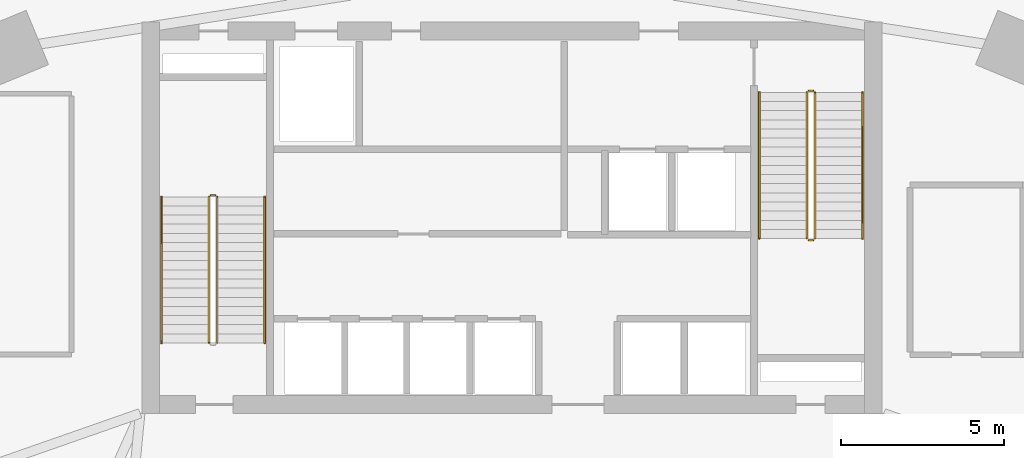
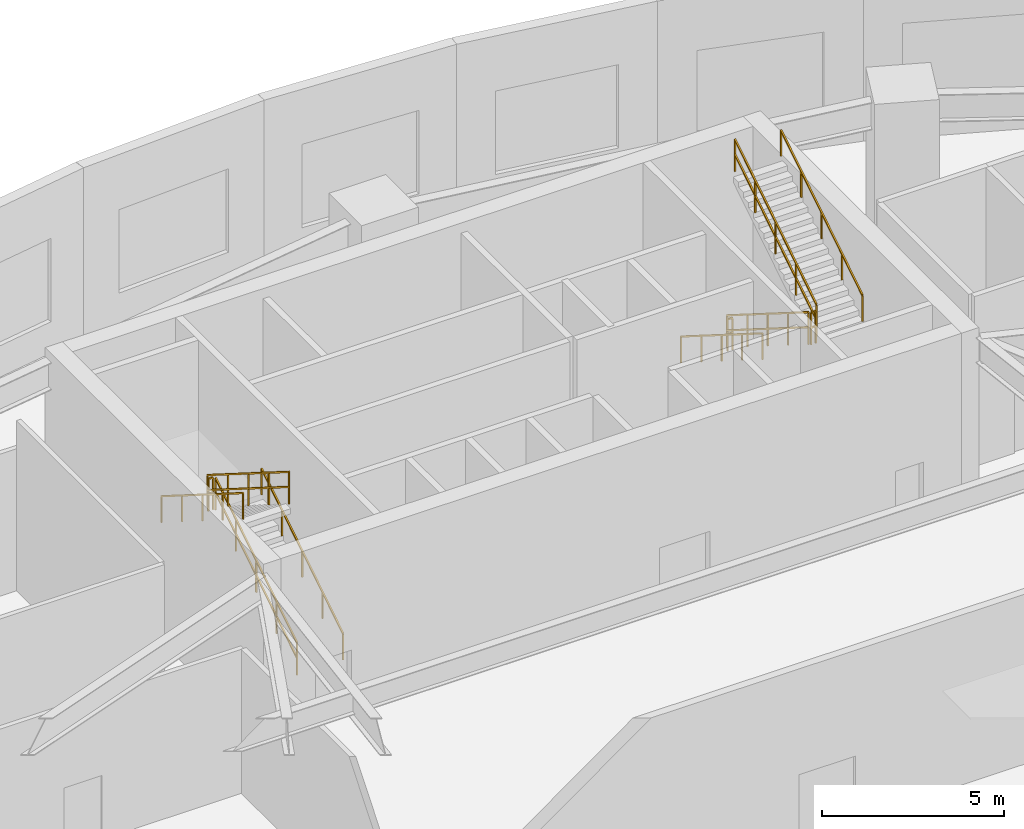
# One storey, part 9 of 10: 11 railings.
"""IFC4 building model written with IfcOpenShell, lengths in metres."""

import ifcopenshell
import ifcopenshell.guid

model = None  # the IFC model being written
_history = None  # IfcOwnerHistory: only IFC2X3 demands one
_inside = {}  # id of a spatial element -> (the spatial element, [elements in it])
_under = {}  # id of a project, library or spatial element -> (it, [spatial elements below it])
_declared = {}  # id of a project -> (the project, [libraries it declares])
_typed = {}  # id of a type object -> (the type object, [elements of that type])
_made_of = {}  # id of a material, layer set ... -> (it, [elements and type objects made of it])


def new_model(schema):
    """Start an empty IFC model of exactly this schema.

    Asked for "IFC4X3", IfcOpenShell would pick the latest addendum, in which some entities
    have other attributes; the version numbers below select the first issue.
    IFC2X3 requires an IfcOwnerHistory on every rooted entity: one is made here for all.
    """
    global model, _history
    if schema == "IFC4X3":
        model = ifcopenshell.file(schema_version=(4, 3, 0, 0))
    else:
        model = ifcopenshell.file(schema=schema)
    _inside.clear()
    _under.clear()
    _declared.clear()
    _typed.clear()
    _made_of.clear()
    _history = None
    if model.schema == "IFC2X3":
        org = make("IfcOrganization", Name="unknown")
        user = make(
            "IfcPersonAndOrganization",
            ThePerson=make("IfcPerson", FamilyName="unknown"),
            TheOrganization=org,
        )
        app = make(
            "IfcApplication",
            ApplicationDeveloper=org,
            Version="unknown",
            ApplicationFullName="unknown",
            ApplicationIdentifier="unknown",
        )
        _history = make(
            "IfcOwnerHistory",
            OwningUser=user,
            OwningApplication=app,
            ChangeAction="ADDED",
            CreationDate=0,
        )
    return model


def make(cls, **values):
    """One entity of the class cls with the attributes given. An attribute that is None is left unset."""
    return model.create_entity(
        cls, **{name: value for name, value in values.items() if value is not None}
    )


def rooted(cls, **values):
    """An entity with a GlobalId (a new one), such as an element, a storey or a relation."""
    return make(cls, GlobalId=ifcopenshell.guid.new(), OwnerHistory=_history, **values)


def si_unit(unit_type, name, prefix=None):
    """IfcSIUnit, for example si_unit("LENGTHUNIT", "METRE", prefix="MILLI")."""
    return make("IfcSIUnit", UnitType=unit_type, Prefix=prefix, Name=name)


def assignment(units):
    """IfcUnitAssignment: the units of a project."""
    return None if units is None else make("IfcUnitAssignment", Units=units)


def point(xyz):
    """IfcCartesianPoint."""
    return None if xyz is None else make("IfcCartesianPoint", Coordinates=xyz)


def direction(xyz):
    """IfcDirection."""
    return None if xyz is None else make("IfcDirection", DirectionRatios=xyz)


def frame(location, z_axis=None, x_axis=None):
    """IfcAxis2Placement3D, a coordinate frame: its origin and axes. An axis left out is left unset."""
    return make(
        "IfcAxis2Placement3D",
        Location=point(location),
        Axis=direction(z_axis),
        RefDirection=direction(x_axis),
    )


def frame_2d(location, x_axis=None):
    """IfcAxis2Placement2D, a coordinate frame in the plane: its origin and x axis."""
    return make(
        "IfcAxis2Placement2D", Location=point(location), RefDirection=direction(x_axis)
    )


def origin():
    """The frame at (0, 0, 0) with its axes left unset."""
    return frame((0.0, 0.0, 0.0))


def origin_2d():
    """The frame at (0, 0) in the plane with its x axis left unset."""
    return frame_2d((0.0, 0.0))


def place(relative_to, where):
    """IfcLocalPlacement: puts the frame where relative to a parent placement (None: the world)."""
    return make(
        "IfcLocalPlacement", PlacementRelTo=relative_to, RelativePlacement=where
    )


def context(
    kind, dimensions, precision=None, world=None, true_north=None, identifier=None
):
    """IfcGeometricRepresentationContext, for example the 3D "Model" context."""
    return make(
        "IfcGeometricRepresentationContext",
        ContextIdentifier=identifier,
        ContextType=kind,
        CoordinateSpaceDimension=dimensions,
        Precision=precision,
        WorldCoordinateSystem=world,
        TrueNorth=true_north,
    )


def subcontext(parent, identifier, kind, view, scale=None):
    """IfcGeometricRepresentationSubContext, for example "Body" below "Model"."""
    return make(
        "IfcGeometricRepresentationSubContext",
        ContextIdentifier=identifier,
        ContextType=kind,
        ParentContext=parent,
        TargetScale=scale,
        TargetView=view,
    )


def project(units=None, contexts=None):
    """IfcProject with its units and contexts."""
    return rooted(
        "IfcProject",
        Name="project",
        RepresentationContexts=contexts,
        UnitsInContext=assignment(units),
    )


def spatial(cls, under=None, at=None, **own):
    """A site, building, storey or space (cls), placed at a placement, below another one or the project."""
    s = rooted(cls, ObjectPlacement=at, **own)
    if under is not None:
        _under.setdefault(under.id(), (under, []))[1].append(s)
    return s


def profile(cls, at=None, kind="AREA", **sizes):
    """A parametric profile (cls). Its sizes go by their IFC names, for example OverallWidth=200.0."""
    return make(cls, ProfileType=kind, Position=at, **sizes)


def rectangle(**sizes):
    """IfcRectangleProfileDef."""
    return profile("IfcRectangleProfileDef", **sizes)


def extrude(swept, where, along, depth):
    """IfcExtrudedAreaSolid: the profile swept, set in the frame where, extruded along a direction by depth."""
    return make(
        "IfcExtrudedAreaSolid",
        SweptArea=swept,
        Position=where,
        ExtrudedDirection=direction(along),
        Depth=depth,
    )


def shape(context_of_items, identifier, shape_type, items):
    """IfcShapeRepresentation: the items that make up one representation, for example the "Body"."""
    return make(
        "IfcShapeRepresentation",
        ContextOfItems=context_of_items,
        RepresentationIdentifier=identifier,
        RepresentationType=shape_type,
        Items=items,
    )


def material(Name=None, Category=None):
    """IfcMaterial."""
    return make("IfcMaterial", Name=Name, Category=Category)


def made_of(thing, what):
    """Note that an element or type object is made of a material, layer set ...; save() writes the relation."""
    if what is not None:
        _made_of.setdefault(what.id(), (what, []))[1].append(thing)
    return thing


def type_object(cls, material=None, **own):
    """A type object (cls), such as IfcWallType, which elements share."""
    return made_of(rooted(cls, **own), material)


def element(
    cls,
    number,
    at=None,
    inside=None,
    cuts=None,
    type_object=None,
    material=None,
    context=None,
    identifier="Body",
    shape_type=None,
    held_by="IfcProductDefinitionShape",
    body=None,
    shapes=None,
    **own,
):
    """One element of the class cls, such as IfcWall. Its Tag is "e" and its number.

    at: its placement. inside: the storey or other place that contains it. cuts: it is an
    opening in that element (IfcRelVoidsElement). A single representation is given by context,
    identifier, shape_type and body (its items); several are given by shapes. held_by: the class
    of the entity that holds the representations. save() writes the other relations.
    """
    e = rooted(cls, Tag="e%d" % number, ObjectPlacement=at, **own)
    if body is not None:
        shapes = [shape(context, identifier, shape_type, body)]
    if shapes is not None:
        e.Representation = make(held_by, Representations=shapes)
    if inside is not None:
        _inside.setdefault(inside.id(), (inside, []))[1].append(e)
    if cuts is not None:
        rooted(
            "IfcRelVoidsElement", RelatingBuildingElement=cuts, RelatedOpeningElement=e
        )
    if type_object is not None:
        _typed.setdefault(type_object.id(), (type_object, []))[1].append(e)
    return made_of(e, material)


def aggregate(whole, parts):
    """IfcRelAggregates: a whole, such as a stair, and the parts it consists of."""
    return rooted("IfcRelAggregates", RelatingObject=whole, RelatedObjects=parts)


def save(model, path):
    """Write the relations noted so far, then the file.

    IfcRelAggregates (storeys below a building ...), IfcRelContainedInSpatialStructure (elements
    in a storey), IfcRelDefinesByType, IfcRelAssociatesMaterial and IfcRelDeclares: one each for
    every whole, place, type object, material and project.
    """
    for whole, parts in _under.values():
        aggregate(whole, parts)
    for where, things in _inside.values():
        rooted(
            "IfcRelContainedInSpatialStructure",
            RelatedElements=things,
            RelatingStructure=where,
        )
    for kind, things in _typed.values():
        rooted("IfcRelDefinesByType", RelatedObjects=things, RelatingType=kind)
    for what, things in _made_of.values():
        rooted("IfcRelAssociatesMaterial", RelatedObjects=things, RelatingMaterial=what)
    for by, libraries in _declared.values():
        rooted("IfcRelDeclares", RelatingContext=by, RelatedDefinitions=libraries)
    model.write(path)


model = new_model("IFC4")

# Units and contexts
model_context = context("Model", 3, precision=1e-05, world=origin(), true_north=direction((0.0, 1.0)))
body_context = subcontext(model_context, "Body", "Model", "MODEL_VIEW")
ifc_project = project(units=[si_unit("LENGTHUNIT", "METRE"), si_unit("AREAUNIT", "SQUARE_METRE"), si_unit("VOLUMEUNIT", "CUBIC_METRE"), si_unit("PLANEANGLEUNIT", "RADIAN"), si_unit("MASSUNIT", "GRAM", prefix="KILO")], contexts=[model_context])

# Site, building, storey
site_placement = place(None, origin())
site = spatial("IfcSite", under=ifc_project, at=site_placement, CompositionType="ELEMENT")
building_placement = place(site_placement, origin())
building = spatial("IfcBuilding", under=site, at=building_placement, Name="Breltana Convention Tower", CompositionType="ELEMENT")
storey_placement = place(building_placement, frame((0.0, 0.0, 12.0)))
storey = spatial("IfcBuildingStorey", under=building, at=storey_placement, Name="L02", CompositionType="ELEMENT", Elevation=12.0)

# Railings
ifc_material_1 = material(Name="Steel S275 Painted", Category="steel")
railing_type_1 = type_object("IfcRailingType", Name="RL-STAIR-GUARD-1100", PredefinedType="GUARDRAIL", material=ifc_material_1)
railing_1_placement = place(storey_placement, frame((38.9599609375, 62.360107421875, 0.176513671875)))
element("IfcRailing", 1, at=railing_1_placement, inside=storey, type_object=railing_type_1, Name="L02 ST-1 stair guard 1", PredefinedType="GUARDRAIL", context=body_context, shape_type="SweptSolid", body=[
    extrude(rectangle(XDim=0.048095703125, YDim=0.048095703125, at=origin_2d()), frame((0.0, 0.0, 1.076171875), z_axis=(0.0, 0.845997938375, 0.533186166611), x_axis=(-1.0, 0.0, 0.0)), (0.0, 0.0, 1.0), 5.29541015625),
    extrude(rectangle(XDim=0.048095703125, YDim=0.048095703125, at=origin_2d()), frame((0.0, 0.0, 0.572021484375), z_axis=(0.0, 0.845997938375, 0.533186166611), x_axis=(-1.0, 0.0, 0.0)), (0.0, 0.0, 1.0), 5.29541015625),
    extrude(rectangle(XDim=0.0419921875, YDim=0.0419921875, at=origin_2d()), origin(), (0.0, 0.0, 1.0), 1.052001953125),
    extrude(rectangle(XDim=0.0419921875, YDim=0.0419921875, at=origin_2d()), frame((0.0, 1.1201171875, 0.705810546875)), (0.0, 0.0, 1.0), 1.052001953125),
    extrude(rectangle(XDim=0.0419921875, YDim=0.0419921875, at=origin_2d()), frame((0.0, 2.239990234375, 1.41162109375)), (0.0, 0.0, 1.0), 1.052001953125),
    extrude(rectangle(XDim=0.0419921875, YDim=0.0419921875, at=origin_2d()), frame((0.0, 3.35986328125, 2.11767578125)), (0.0, 0.0, 1.0), 1.052001953125),
    extrude(rectangle(XDim=0.0419921875, YDim=0.0419921875, at=origin_2d()), frame((0.0, 4.47998046875, 2.823486328125)), (0.0, 0.0, 1.0), 1.052001953125),
])
railing_2_placement = place(storey_placement, frame((38.909912109375, 66.889892578125, 3.0)))
element("IfcRailing", 2, at=railing_2_placement, inside=storey, type_object=railing_type_1, Name="L02 ST-1 stair guard 2", PredefinedType="GUARDRAIL", context=body_context, shape_type="SweptSolid", body=[
    extrude(rectangle(XDim=0.048095703125, YDim=0.048095703125, at=origin_2d()), frame((0.0, 0.0, 1.076171875), z_axis=(-1.0, 0.0, 0.0), x_axis=(0.0, -1.0, 0.0)), (0.0, 0.0, 1.0), 0.14990234375),
    extrude(rectangle(XDim=0.048095703125, YDim=0.048095703125, at=origin_2d()), frame((0.0, 0.0, 0.572021484375), z_axis=(-1.0, 0.0, 0.0), x_axis=(0.0, -1.0, 0.0)), (0.0, 0.0, 1.0), 0.14990234375),
    extrude(rectangle(XDim=0.0419921875, YDim=0.0419921875, at=origin_2d()), origin(), (0.0, 0.0, 1.0), 1.052001953125),
    extrude(rectangle(XDim=0.0419921875, YDim=0.0419921875, at=origin_2d()), frame((-0.14990234375, 0.0, 0.0)), (0.0, 0.0, 1.0), 1.052001953125),
])
for number, where, name in (
    (3, (38.7099609375, 66.840087890625, 3.176513671875), "L02 ST-1 stair guard 3"),
    (4, (57.0400390625, 70.0400390625, 0.176513671875), "L02 ST-2 stair guard 1"),
):
    element("IfcRailing", number, at=place(storey_placement, frame(where)), inside=storey, type_object=railing_type_1, Name=name, PredefinedType="GUARDRAIL", context=body_context, shape_type="SweptSolid", body=[
        extrude(rectangle(XDim=0.048095703125, YDim=0.048095703125, at=origin_2d()), frame((0.0, 0.0, 1.076171875), z_axis=(0.0, -0.845997938375, 0.533186166611), x_axis=(1.0, 0.0, 0.0)), (0.0, 0.0, 1.0), 5.29541015625),
        extrude(rectangle(XDim=0.048095703125, YDim=0.048095703125, at=origin_2d()), frame((0.0, 0.0, 0.572021484375), z_axis=(0.0, -0.845997938375, 0.533186166611), x_axis=(1.0, 0.0, 0.0)), (0.0, 0.0, 1.0), 5.29541015625),
        extrude(rectangle(XDim=0.0419921875, YDim=0.0419921875, at=origin_2d()), origin(), (0.0, 0.0, 1.0), 1.052001953125),
        extrude(rectangle(XDim=0.0419921875, YDim=0.0419921875, at=origin_2d()), frame((0.0, -1.1201171875, 0.705810546875)), (0.0, 0.0, 1.0), 1.052001953125),
        extrude(rectangle(XDim=0.0419921875, YDim=0.0419921875, at=origin_2d()), frame((0.0, -2.239990234375, 1.41162109375)), (0.0, 0.0, 1.0), 1.052001953125),
        extrude(rectangle(XDim=0.0419921875, YDim=0.0419921875, at=origin_2d()), frame((0.0, -3.35986328125, 2.11767578125)), (0.0, 0.0, 1.0), 1.052001953125),
        extrude(rectangle(XDim=0.0419921875, YDim=0.0419921875, at=origin_2d()), frame((0.0, -4.47998046875, 2.823486328125)), (0.0, 0.0, 1.0), 1.052001953125),
    ])
railing_3_placement = place(storey_placement, frame((57.090087890625, 65.510009765625, 3.0)))
element("IfcRailing", 5, at=railing_3_placement, inside=storey, type_object=railing_type_1, Name="L02 ST-2 stair guard 2", PredefinedType="GUARDRAIL", context=body_context, shape_type="SweptSolid", body=[
    extrude(rectangle(XDim=0.048095703125, YDim=0.048095703125, at=origin_2d()), frame((0.0, 0.0, 1.076171875), z_axis=(1.0, 0.0, 0.0), x_axis=(0.0, 1.0, 0.0)), (0.0, 0.0, 1.0), 0.14990234375),
    extrude(rectangle(XDim=0.048095703125, YDim=0.048095703125, at=origin_2d()), frame((0.0, 0.0, 0.572021484375), z_axis=(1.0, 0.0, 0.0), x_axis=(0.0, 1.0, 0.0)), (0.0, 0.0, 1.0), 0.14990234375),
    extrude(rectangle(XDim=0.0419921875, YDim=0.0419921875, at=origin_2d()), origin(), (0.0, 0.0, 1.0), 1.052001953125),
    extrude(rectangle(XDim=0.0419921875, YDim=0.0419921875, at=origin_2d()), frame((0.14990234375, 0.0, 0.0)), (0.0, 0.0, 1.0), 1.052001953125),
])
railing_4_placement = place(storey_placement, frame((57.2900390625, 65.56005859375, 3.176513671875)))
element("IfcRailing", 6, at=railing_4_placement, inside=storey, type_object=railing_type_1, Name="L02 ST-2 stair guard 3", PredefinedType="GUARDRAIL", context=body_context, shape_type="SweptSolid", body=[
    extrude(rectangle(XDim=0.048095703125, YDim=0.048095703125, at=origin_2d()), frame((0.0, 0.0, 1.076171875), z_axis=(0.0, 0.845997938375, 0.533186166611), x_axis=(-1.0, 0.0, 0.0)), (0.0, 0.0, 1.0), 5.29541015625),
    extrude(rectangle(XDim=0.048095703125, YDim=0.048095703125, at=origin_2d()), frame((0.0, 0.0, 0.572021484375), z_axis=(0.0, 0.845997938375, 0.533186166611), x_axis=(-1.0, 0.0, 0.0)), (0.0, 0.0, 1.0), 5.29541015625),
    extrude(rectangle(XDim=0.0419921875, YDim=0.0419921875, at=origin_2d()), origin(), (0.0, 0.0, 1.0), 1.052001953125),
    extrude(rectangle(XDim=0.0419921875, YDim=0.0419921875, at=origin_2d()), frame((0.0, 1.1201171875, 0.705810546875)), (0.0, 0.0, 1.0), 1.052001953125),
    extrude(rectangle(XDim=0.0419921875, YDim=0.0419921875, at=origin_2d()), frame((0.0, 2.239990234375, 1.41162109375)), (0.0, 0.0, 1.0), 1.052001953125),
    extrude(rectangle(XDim=0.0419921875, YDim=0.0419921875, at=origin_2d()), frame((0.0, 3.35986328125, 2.11767578125)), (0.0, 0.0, 1.0), 1.052001953125),
    extrude(rectangle(XDim=0.0419921875, YDim=0.0419921875, at=origin_2d()), frame((0.0, 4.47998046875, 2.823486328125)), (0.0, 0.0, 1.0), 1.052001953125),
])
railing_5_placement = place(storey_placement, frame((57.090087890625, 70.090087890625, 0.0)))
element("IfcRailing", 7, at=railing_5_placement, inside=storey, type_object=railing_type_1, Name="L02 ST-2 stair guard 4", PredefinedType="GUARDRAIL", context=body_context, shape_type="SweptSolid", body=[
    extrude(rectangle(XDim=0.048095703125, YDim=0.048095703125, at=origin_2d()), frame((0.0, 0.0, 1.076171875), z_axis=(1.0, 0.0, 0.0), x_axis=(0.0, 1.0, 0.0)), (0.0, 0.0, 1.0), 0.14990234375),
    extrude(rectangle(XDim=0.048095703125, YDim=0.048095703125, at=origin_2d()), frame((0.0, 0.0, 0.572021484375), z_axis=(1.0, 0.0, 0.0), x_axis=(0.0, 1.0, 0.0)), (0.0, 0.0, 1.0), 0.14990234375),
    extrude(rectangle(XDim=0.0419921875, YDim=0.0419921875, at=origin_2d()), origin(), (0.0, 0.0, 1.0), 1.052001953125),
    extrude(rectangle(XDim=0.0419921875, YDim=0.0419921875, at=origin_2d()), frame((0.14990234375, 0.0, 0.0)), (0.0, 0.0, 1.0), 1.052001953125),
])
ifc_material_2 = material(Name="Stainless Steel 316L", Category="steel")
railing_type_2 = type_object("IfcRailingType", Name="RL-STAIR-HANDRAIL-900", PredefinedType="HANDRAIL", material=ifc_material_2)
railing_6_placement = place(storey_placement, frame((40.419921875, 62.360107421875, 0.176513671875)))
element("IfcRailing", 8, at=railing_6_placement, inside=storey, type_object=railing_type_2, Name="L02 ST-1 stair handrail 1", PredefinedType="HANDRAIL", context=body_context, shape_type="SweptSolid", body=[
    extrude(rectangle(XDim=0.048095703125, YDim=0.048095703125, at=origin_2d()), frame((0.0, 0.0, 0.8759765625), z_axis=(0.0, 0.845997938375, 0.533186166611), x_axis=(-1.0, 0.0, 0.0)), (0.0, 0.0, 1.0), 5.29541015625),
    extrude(rectangle(XDim=0.0419921875, YDim=0.0419921875, at=origin_2d()), origin(), (0.0, 0.0, 1.0), 0.851806640625),
    extrude(rectangle(XDim=0.0419921875, YDim=0.0419921875, at=origin_2d()), frame((0.0, 1.1201171875, 0.705810546875)), (0.0, 0.0, 1.0), 0.851806640625),
    extrude(rectangle(XDim=0.0419921875, YDim=0.0419921875, at=origin_2d()), frame((0.0, 2.239990234375, 1.41162109375)), (0.0, 0.0, 1.0), 0.851806640625),
    extrude(rectangle(XDim=0.0419921875, YDim=0.0419921875, at=origin_2d()), frame((0.0, 3.35986328125, 2.11767578125)), (0.0, 0.0, 1.0), 0.851806640625),
    extrude(rectangle(XDim=0.0419921875, YDim=0.0419921875, at=origin_2d()), frame((0.0, 4.47998046875, 2.823486328125)), (0.0, 0.0, 1.0), 0.851806640625),
])
for number, where, name in (
    (9, (37.25, 66.840087890625, 3.176513671875), "L02 ST-1 stair handrail 2"),
    (10, (55.580078125, 70.0400390625, 0.176513671875), "L02 ST-2 stair handrail 1"),
):
    element("IfcRailing", number, at=place(storey_placement, frame(where)), inside=storey, type_object=railing_type_2, Name=name, PredefinedType="HANDRAIL", context=body_context, shape_type="SweptSolid", body=[
        extrude(rectangle(XDim=0.048095703125, YDim=0.048095703125, at=origin_2d()), frame((0.0, 0.0, 0.8759765625), z_axis=(0.0, -0.845997938375, 0.533186166611), x_axis=(1.0, 0.0, 0.0)), (0.0, 0.0, 1.0), 5.29541015625),
        extrude(rectangle(XDim=0.0419921875, YDim=0.0419921875, at=origin_2d()), origin(), (0.0, 0.0, 1.0), 0.851806640625),
        extrude(rectangle(XDim=0.0419921875, YDim=0.0419921875, at=origin_2d()), frame((0.0, -1.1201171875, 0.705810546875)), (0.0, 0.0, 1.0), 0.851806640625),
        extrude(rectangle(XDim=0.0419921875, YDim=0.0419921875, at=origin_2d()), frame((0.0, -2.239990234375, 1.41162109375)), (0.0, 0.0, 1.0), 0.851806640625),
        extrude(rectangle(XDim=0.0419921875, YDim=0.0419921875, at=origin_2d()), frame((0.0, -3.35986328125, 2.11767578125)), (0.0, 0.0, 1.0), 0.851806640625),
        extrude(rectangle(XDim=0.0419921875, YDim=0.0419921875, at=origin_2d()), frame((0.0, -4.47998046875, 2.823486328125)), (0.0, 0.0, 1.0), 0.851806640625),
    ])
railing_7_placement = place(storey_placement, frame((58.75, 65.56005859375, 3.176513671875)))
element("IfcRailing", 11, at=railing_7_placement, inside=storey, type_object=railing_type_2, Name="L02 ST-2 stair handrail 2", PredefinedType="HANDRAIL", context=body_context, shape_type="SweptSolid", body=[
    extrude(rectangle(XDim=0.048095703125, YDim=0.048095703125, at=origin_2d()), frame((0.0, 0.0, 0.8759765625), z_axis=(0.0, 0.845997938375, 0.533186166611), x_axis=(-1.0, 0.0, 0.0)), (0.0, 0.0, 1.0), 5.29541015625),
    extrude(rectangle(XDim=0.0419921875, YDim=0.0419921875, at=origin_2d()), origin(), (0.0, 0.0, 1.0), 0.851806640625),
    extrude(rectangle(XDim=0.0419921875, YDim=0.0419921875, at=origin_2d()), frame((0.0, 1.1201171875, 0.705810546875)), (0.0, 0.0, 1.0), 0.851806640625),
    extrude(rectangle(XDim=0.0419921875, YDim=0.0419921875, at=origin_2d()), frame((0.0, 2.239990234375, 1.41162109375)), (0.0, 0.0, 1.0), 0.851806640625),
    extrude(rectangle(XDim=0.0419921875, YDim=0.0419921875, at=origin_2d()), frame((0.0, 3.35986328125, 2.11767578125)), (0.0, 0.0, 1.0), 0.851806640625),
    extrude(rectangle(XDim=0.0419921875, YDim=0.0419921875, at=origin_2d()), frame((0.0, 4.47998046875, 2.823486328125)), (0.0, 0.0, 1.0), 0.851806640625),
])

save(model, "model.ifc")
